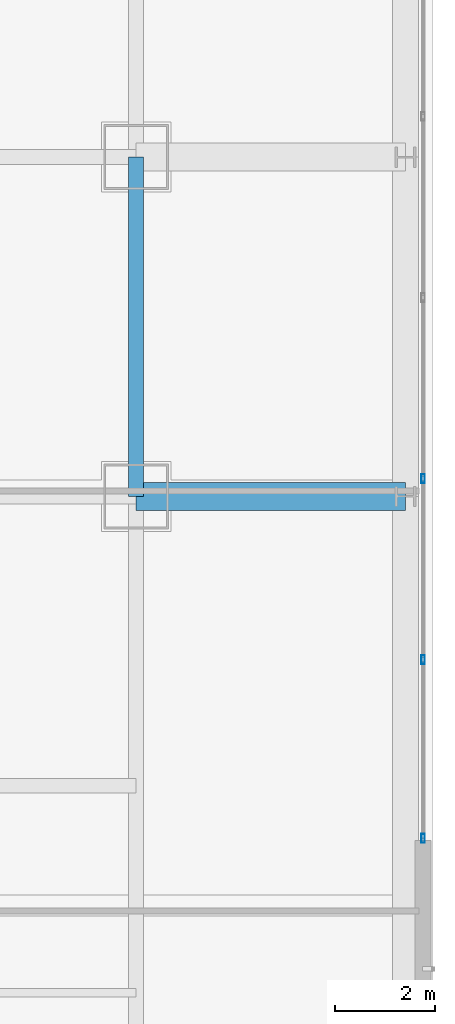
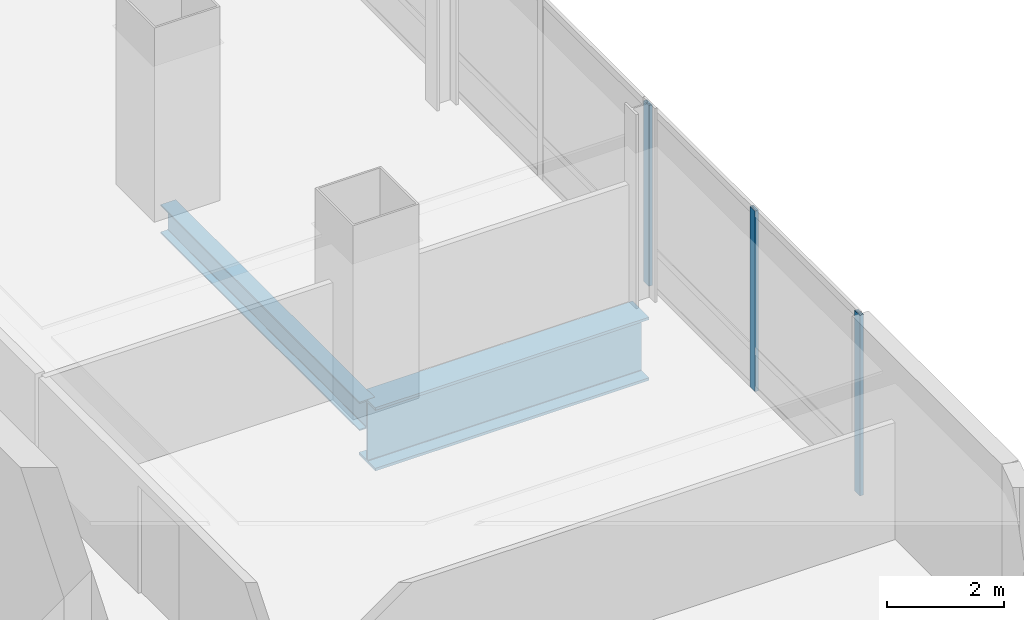
# One storey, part 16 of 51: 3 members, 2 beams, 1 element without a shape of its own.
"""IFC4 building model written with IfcOpenShell, lengths in metres."""

from ifc_helpers import new_model, si_unit, direction, frame, origin, origin_2d, place, context, subcontext, project, spatial, hollow_rectangle, i_section, extrude, material, material_profile, profile_set, type_object, element, aggregate, save


model = new_model("IFC4")

# Units and contexts
model_context = context("Model", 3, precision=1e-05, world=origin(), true_north=direction((0.0, 1.0)))
body_context = subcontext(model_context, "Body", "Model", "MODEL_VIEW")
ifc_project = project(units=[si_unit("LENGTHUNIT", "METRE"), si_unit("AREAUNIT", "SQUARE_METRE"), si_unit("VOLUMEUNIT", "CUBIC_METRE"), si_unit("PLANEANGLEUNIT", "RADIAN"), si_unit("MASSUNIT", "GRAM", prefix="KILO")], contexts=[model_context])

# Site, building, storey
site_placement = place(None, origin())
site = spatial("IfcSite", under=ifc_project, at=site_placement, CompositionType="ELEMENT")
building_placement = place(site_placement, origin())
building = spatial("IfcBuilding", under=site, at=building_placement, Name="Punatoya Terracotta Tower", CompositionType="ELEMENT")
storey_placement = place(building_placement, frame((0.0, 0.0, 279.75)))
storey = spatial("IfcBuildingStorey", under=building, at=storey_placement, Name="L66", CompositionType="ELEMENT", Elevation=279.75)

# Beams
ifc_material_1 = material(Name="Steel S355", Category="steel")
ifc_material_profile_1 = material_profile(ifc_material_1, i_section(OverallWidth=0.300048828125, OverallDepth=0.60009765625, WebThickness=0.015380859375, FlangeThickness=0.030029296875, FilletRadius=0.01806640625, at=origin_2d()))
ifc_profile_set_1 = profile_set([ifc_material_profile_1], Name="Steel S355")
beam_type_1 = type_object("IfcBeamType", Name="BM-PRI-600", PredefinedType="BEAM", material=ifc_profile_set_1)
beam_1_placement = place(storey_placement, frame((19.10009765625, -3.39990234375, -0.5), z_axis=(0.0, 1.0, 0.0), x_axis=(-1.0, 0.0, 0.0)))
element("IfcBeam", 1, at=beam_1_placement, inside=storey, type_object=beam_type_1, Name="BM-L66-RG-E2", PredefinedType="BEAM", context=body_context, shape_type="SweptSolid", body=[
    extrude(i_section(OverallWidth=0.300048828125, OverallDepth=0.60009765625, WebThickness=0.015380859375, FlangeThickness=0.030029296875, FilletRadius=0.01806640625, at=origin_2d()), origin(), (0.0, 0.0, 1.0), 6.7998046875),
])
ifc_material_2 = material(Name="Steel S460", Category="steel")
ifc_material_profile_2 = material_profile(ifc_material_2, i_section(OverallWidth=0.56005859375, OverallDepth=1.320068359375, WebThickness=0.035888671875, FlangeThickness=0.054931640625, FilletRadius=0.01806640625, at=origin_2d()))
ifc_profile_set_2 = profile_set([ifc_material_profile_2], Name="Steel S460")
beam_type_2 = type_object("IfcBeamType", Name="BM-TG-BLK", PredefinedType="BEAM", material=ifc_profile_set_2)
beam_2_placement = place(storey_placement, frame((19.10009765625, -3.39990234375, -0.860107421875), z_axis=(1.0, 0.0, 0.0), x_axis=(0.0, 1.0, 0.0)))
element("IfcBeam", 2, at=beam_2_placement, inside=storey, type_object=beam_type_2, Name="BM-L66-CANT-E2", PredefinedType="BEAM", context=body_context, shape_type="SweptSolid", body=[
    extrude(i_section(OverallWidth=0.56005859375, OverallDepth=1.320068359375, WebThickness=0.035888671875, FlangeThickness=0.054931640625, FilletRadius=0.01806640625, at=origin_2d()), origin(), (0.0, 0.0, 1.0), 5.39990234375),
])

# Curtain wall, members
ifc_material_3 = material(Name="Aluminium 6063-T6 + Double Low-E Glass", Category="aluminium")
curtain_wall_type = type_object("IfcCurtainWallType", Name="CW-M3", PredefinedType="NOTDEFINED", material=ifc_material_3)
curtain_wall_placement = place(storey_placement, origin())
curtain_wall = element("IfcCurtainWall", 3, at=curtain_wall_placement, inside=storey, type_object=curtain_wall_type, Name="L66 Curtain Wall CW-L66-E05-1", PredefinedType="NOTDEFINED")
ifc_material_4 = material(Name="Aluminium 6063-T6", Category="aluminium")
ifc_material_profile_3 = material_profile(ifc_material_4, hollow_rectangle(XDim=0.070068359375, YDim=0.179931640625, WallThickness=0.00390625, at=origin_2d()))
ifc_profile_set_3 = profile_set([ifc_material_profile_3], Name="Aluminium 6063-T6")
member_type = type_object("IfcMemberType", Name="CW-MUL-M3", PredefinedType="MULLION", material=ifc_profile_set_3)
member_1_placement = place(storey_placement, frame((24.85009765625, -10.2548828125, 0.0), z_axis=(0.0, 0.0, 1.0), x_axis=(1.0, 0.0, 0.0)))
member_1 = element("IfcMember", 4, at=member_1_placement, type_object=member_type, Name="CW-L66-E05-1 Mullion 00", PredefinedType="MULLION", context=body_context, shape_type="SweptSolid", body=[
    extrude(hollow_rectangle(XDim=0.070068359375, YDim=0.179931640625, WallThickness=0.00390625, at=origin_2d()), origin(), (0.0, 0.0, 1.0), 3.77001953125),
])
member_2_placement = place(storey_placement, frame((24.85009765625, -6.67138671875, 0.0), z_axis=(0.0, 0.0, 1.0), x_axis=(1.0, 0.0, 0.0)))
member_2 = element("IfcMember", 5, at=member_2_placement, type_object=member_type, Name="CW-L66-E05-1 Mullion 01", PredefinedType="MULLION", context=body_context, shape_type="SweptSolid", body=[
    extrude(hollow_rectangle(XDim=0.070068359375, YDim=0.179931640625, WallThickness=0.00390625, at=origin_2d()), origin(), (0.0, 0.0, 1.0), 3.77001953125),
])
member_3_placement = place(storey_placement, frame((24.85009765625, -3.04296875, 0.0), z_axis=(0.0, 0.0, 1.0), x_axis=(1.0, 0.0, 0.0)))
member_3 = element("IfcMember", 6, at=member_3_placement, type_object=member_type, Name="CW-L66-E05-1 Mullion 02", PredefinedType="MULLION", context=body_context, shape_type="SweptSolid", body=[
    extrude(hollow_rectangle(XDim=0.070068359375, YDim=0.179931640625, WallThickness=0.00390625, at=origin_2d()), origin(), (0.0, 0.0, 1.0), 3.77001953125),
])
aggregate(curtain_wall, [member_1, member_2, member_3])

save(model, "model.ifc")
